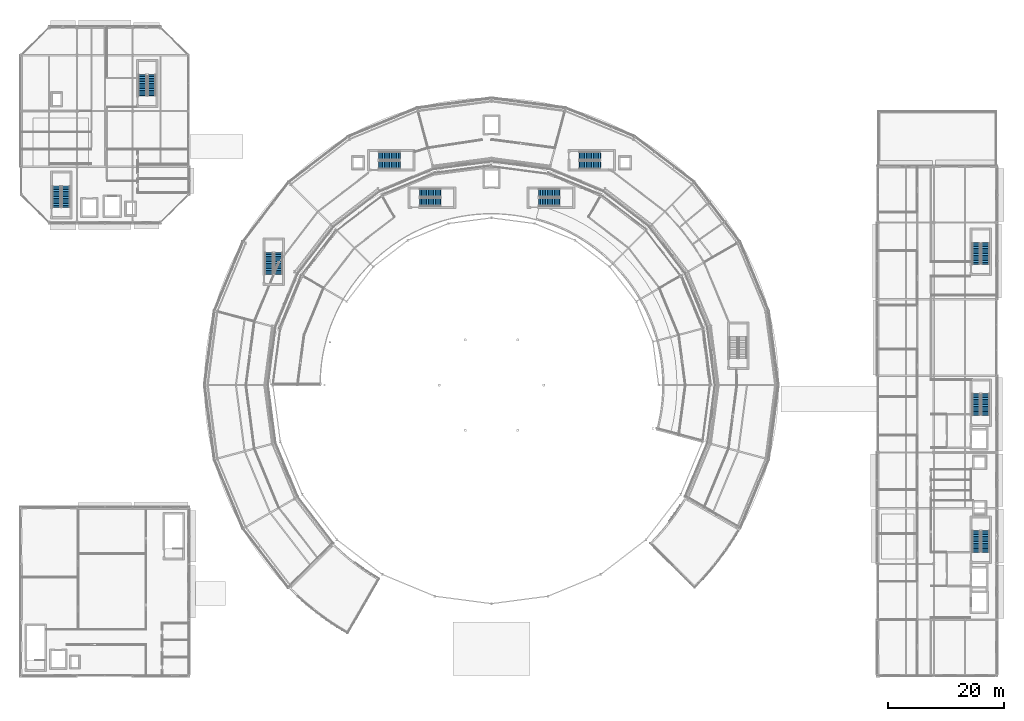
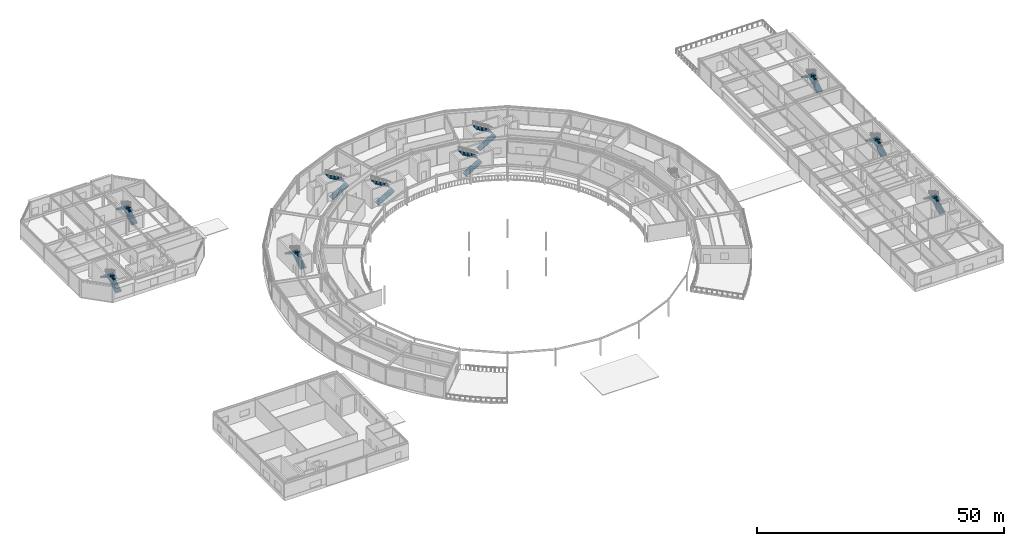
# One storey, part 111 of 133: 20 stair flights, 10 elements without a shape of their own.
"""IFC4 building model written with IfcOpenShell, lengths in metres."""

from ifc_helpers import new_model, si_unit, direction, frame, origin, place, context, subcontext, project, spatial, polyline, outline, extrude, material, type_object, element, aggregate, save


model = new_model("IFC4")

# Units and contexts
model_context = context("Model", 3, precision=1e-05, world=origin(), true_north=direction((0.0, 1.0)))
body_context = subcontext(model_context, "Body", "Model", "MODEL_VIEW")
ifc_project = project(units=[si_unit("LENGTHUNIT", "METRE"), si_unit("AREAUNIT", "SQUARE_METRE"), si_unit("VOLUMEUNIT", "CUBIC_METRE"), si_unit("PLANEANGLEUNIT", "RADIAN"), si_unit("MASSUNIT", "GRAM", prefix="KILO")], contexts=[model_context])

# Site, building, storey
site_placement = place(None, origin())
site = spatial("IfcSite", under=ifc_project, at=site_placement, CompositionType="ELEMENT")
building_placement = place(site_placement, origin())
building = spatial("IfcBuilding", under=site, at=building_placement, Name="Almandine Court Research Institute", CompositionType="ELEMENT")
storey_placement = place(building_placement, frame((0.0, 0.0, 9.800048828125)))
storey = spatial("IfcBuildingStorey", under=building, at=storey_placement, Name="L02", CompositionType="ELEMENT", Elevation=9.800048828125)

# Stair, stair flights
ifc_material = material(Name="Concrete C35/45", Category="concrete")
stair_type = type_object("IfcStairType", Name="Stair-Core-26R", PredefinedType="HALF_TURN_STAIR", material=ifc_material)
stair_1_placement = place(storey_placement, origin())
stair_1 = element("IfcStair", 1, at=stair_1_placement, inside=storey, type_object=stair_type, Name="L02 Atrium Northeast Exit Stair", PredefinedType="HALF_TURN_STAIR")
stair_flight_type = type_object("IfcStairFlightType", Name="Flight-Core-26R", PredefinedType="STRAIGHT", material=ifc_material)
stair_flight_1_placement = place(storey_placement, frame((95.14990234375, 87.510009765625, 0.0), z_axis=(0.0, 0.0, 1.0), x_axis=(1.0, 0.0, 0.0)))
stair_flight_1 = element("IfcStairFlight", 2, at=stair_flight_1_placement, type_object=stair_flight_type, Name="ST-03 flight 1", NumberOfRisers=13, NumberOfTreads=12, PredefinedType="STRAIGHT", RiserHeight=0.175, TreadLength=0.3, context=body_context, shape_type="SweptSolid", body=[
    extrude(outline(polyline([(-0.080078125, -0.139892578125), (-0.080078125, 0.0), (0.0, 0.0), (0.0, 0.175048828125), (0.300048828125, 0.175048828125), (0.300048828125, 0.35009765625), (0.60009765625, 0.35009765625), (0.60009765625, 0.52490234375), (0.89990234375, 0.52490234375), (0.89990234375, 0.699951171875), (1.199951171875, 0.699951171875), (1.199951171875, 0.875), (1.5, 0.875), (1.5, 1.050048828125), (1.800048828125, 1.050048828125), (1.800048828125, 1.22509765625), (2.10009765625, 1.22509765625), (2.10009765625, 1.39990234375), (2.39990234375, 1.39990234375), (2.39990234375, 1.574951171875), (2.699951171875, 1.574951171875), (2.699951171875, 1.75), (3.0, 1.75), (3.0, 1.925048828125), (3.300048828125, 1.925048828125), (3.300048828125, 2.10009765625), (3.60009765625, 2.10009765625), (3.60009765625, 2.27490234375), (3.679931640625, 2.27490234375), (3.679931640625, 2.114990234375), (3.60009765625, 1.914794921875), (0.3173828125, 0.0), (0.3173828125, -0.139892578125), (-0.080078125, -0.139892578125)])), frame((0.0, 0.7099609375, 0.0), z_axis=(0.0, -1.0, 0.0), x_axis=(1.0, 0.0, 0.0)), (0.0, 0.0, 1.0), 1.419921875),
])
stair_flight_2_placement = place(storey_placement, frame((98.75, 89.090087890625, 2.27490234375), z_axis=(0.0, 0.0, 1.0), x_axis=(-1.0, 0.0, 0.0)))
stair_flight_2 = element("IfcStairFlight", 3, at=stair_flight_2_placement, type_object=stair_flight_type, Name="ST-03 flight 2", NumberOfRisers=13, NumberOfTreads=12, PredefinedType="STRAIGHT", RiserHeight=0.175, TreadLength=0.3, context=body_context, shape_type="SweptSolid", body=[
    extrude(outline(polyline([(-0.080078125, -0.139892578125), (-0.080078125, 0.0), (0.0, 0.0), (0.0, 0.175048828125), (0.300048828125, 0.175048828125), (0.300048828125, 0.35009765625), (0.60009765625, 0.35009765625), (0.60009765625, 0.52490234375), (0.89990234375, 0.52490234375), (0.89990234375, 0.699951171875), (1.199951171875, 0.699951171875), (1.199951171875, 0.875), (1.5, 0.875), (1.5, 1.050048828125), (1.800048828125, 1.050048828125), (1.800048828125, 1.22509765625), (2.10009765625, 1.22509765625), (2.10009765625, 1.39990234375), (2.39990234375, 1.39990234375), (2.39990234375, 1.574951171875), (2.699951171875, 1.574951171875), (2.699951171875, 1.75), (3.0, 1.75), (3.0, 1.925048828125), (3.300048828125, 1.925048828125), (3.300048828125, 2.10009765625), (3.60009765625, 2.10009765625), (3.60009765625, 2.27490234375), (3.679931640625, 2.27490234375), (3.679931640625, 2.114990234375), (3.60009765625, 1.914794921875), (0.3173828125, 0.0), (0.3173828125, -0.139892578125), (-0.080078125, -0.139892578125)])), frame((0.0, 0.7099609375, 0.0), z_axis=(0.0, -1.0, 0.0), x_axis=(1.0, 0.0, 0.0)), (0.0, 0.0, 1.0), 1.419921875),
])
aggregate(stair_1, [stair_flight_1, stair_flight_2])

stair_2_placement = place(storey_placement, origin())
stair_2 = element("IfcStair", 4, at=stair_2_placement, inside=storey, type_object=stair_type, Name="L02 Atrium Northwest Exit Stair", PredefinedType="HALF_TURN_STAIR")
stair_flight_3_placement = place(storey_placement, frame((74.64990234375, 87.510009765625, 0.0), z_axis=(0.0, 0.0, 1.0), x_axis=(1.0, 0.0, 0.0)))
stair_flight_3 = element("IfcStairFlight", 5, at=stair_flight_3_placement, type_object=stair_flight_type, Name="ST-04 flight 1", NumberOfRisers=13, NumberOfTreads=12, PredefinedType="STRAIGHT", RiserHeight=0.175, TreadLength=0.3, context=body_context, shape_type="SweptSolid", body=[
    extrude(outline(polyline([(-0.080078125, -0.139892578125), (-0.080078125, 0.0), (0.0, 0.0), (0.0, 0.175048828125), (0.300048828125, 0.175048828125), (0.300048828125, 0.35009765625), (0.60009765625, 0.35009765625), (0.60009765625, 0.52490234375), (0.89990234375, 0.52490234375), (0.89990234375, 0.699951171875), (1.199951171875, 0.699951171875), (1.199951171875, 0.875), (1.5, 0.875), (1.5, 1.050048828125), (1.800048828125, 1.050048828125), (1.800048828125, 1.22509765625), (2.10009765625, 1.22509765625), (2.10009765625, 1.39990234375), (2.39990234375, 1.39990234375), (2.39990234375, 1.574951171875), (2.699951171875, 1.574951171875), (2.699951171875, 1.75), (3.0, 1.75), (3.0, 1.925048828125), (3.300048828125, 1.925048828125), (3.300048828125, 2.10009765625), (3.60009765625, 2.10009765625), (3.60009765625, 2.27490234375), (3.679931640625, 2.27490234375), (3.679931640625, 2.114990234375), (3.60009765625, 1.914794921875), (0.3173828125, 0.0), (0.3173828125, -0.139892578125), (-0.080078125, -0.139892578125)])), frame((0.0, 0.7099609375, 0.0), z_axis=(0.0, -1.0, 0.0), x_axis=(1.0, 0.0, 0.0)), (0.0, 0.0, 1.0), 1.419921875),
])
stair_flight_4_placement = place(storey_placement, frame((78.25, 89.090087890625, 2.27490234375), z_axis=(0.0, 0.0, 1.0), x_axis=(-1.0, 0.0, 0.0)))
stair_flight_4 = element("IfcStairFlight", 6, at=stair_flight_4_placement, type_object=stair_flight_type, Name="ST-04 flight 2", NumberOfRisers=13, NumberOfTreads=12, PredefinedType="STRAIGHT", RiserHeight=0.175, TreadLength=0.3, context=body_context, shape_type="SweptSolid", body=[
    extrude(outline(polyline([(-0.080078125, -0.139892578125), (-0.080078125, 0.0), (0.0, 0.0), (0.0, 0.175048828125), (0.300048828125, 0.175048828125), (0.300048828125, 0.35009765625), (0.60009765625, 0.35009765625), (0.60009765625, 0.52490234375), (0.89990234375, 0.52490234375), (0.89990234375, 0.699951171875), (1.199951171875, 0.699951171875), (1.199951171875, 0.875), (1.5, 0.875), (1.5, 1.050048828125), (1.800048828125, 1.050048828125), (1.800048828125, 1.22509765625), (2.10009765625, 1.22509765625), (2.10009765625, 1.39990234375), (2.39990234375, 1.39990234375), (2.39990234375, 1.574951171875), (2.699951171875, 1.574951171875), (2.699951171875, 1.75), (3.0, 1.75), (3.0, 1.925048828125), (3.300048828125, 1.925048828125), (3.300048828125, 2.10009765625), (3.60009765625, 2.10009765625), (3.60009765625, 2.27490234375), (3.679931640625, 2.27490234375), (3.679931640625, 2.114990234375), (3.60009765625, 1.914794921875), (0.3173828125, 0.0), (0.3173828125, -0.139892578125), (-0.080078125, -0.139892578125)])), frame((0.0, 0.7099609375, 0.0), z_axis=(0.0, -1.0, 0.0), x_axis=(1.0, 0.0, 0.0)), (0.0, 0.0, 1.0), 1.419921875),
])
aggregate(stair_2, [stair_flight_3, stair_flight_4])

stair_3_placement = place(storey_placement, origin())
stair_3 = element("IfcStair", 7, at=stair_3_placement, inside=storey, type_object=stair_type, Name="L02 Cleanroom Pavilion South Exit Stair", PredefinedType="HALF_TURN_STAIR")
stair_flight_5_placement = place(storey_placement, frame((13.68994140625, 86.64990234375, 0.0), z_axis=(0.0, 0.0, 1.0), x_axis=(0.0, 1.0, 0.0)))
stair_flight_5 = element("IfcStairFlight", 8, at=stair_flight_5_placement, type_object=stair_flight_type, Name="ST-05 flight 1", NumberOfRisers=13, NumberOfTreads=12, PredefinedType="STRAIGHT", RiserHeight=0.175, TreadLength=0.3, context=body_context, shape_type="SweptSolid", body=[
    extrude(outline(polyline([(-0.080078125, -0.139892578125), (-0.080078125, 0.0), (0.0, 0.0), (0.0, 0.175048828125), (0.300048828125, 0.175048828125), (0.300048828125, 0.35009765625), (0.60009765625, 0.35009765625), (0.60009765625, 0.52490234375), (0.89990234375, 0.52490234375), (0.89990234375, 0.699951171875), (1.199951171875, 0.699951171875), (1.199951171875, 0.875), (1.5, 0.875), (1.5, 1.050048828125), (1.800048828125, 1.050048828125), (1.800048828125, 1.22509765625), (2.10009765625, 1.22509765625), (2.10009765625, 1.39990234375), (2.39990234375, 1.39990234375), (2.39990234375, 1.574951171875), (2.699951171875, 1.574951171875), (2.699951171875, 1.75), (3.0, 1.75), (3.0, 1.925048828125), (3.300048828125, 1.925048828125), (3.300048828125, 2.10009765625), (3.60009765625, 2.10009765625), (3.60009765625, 2.27490234375), (3.679931640625, 2.27490234375), (3.679931640625, 2.114990234375), (3.60009765625, 1.914794921875), (0.3173828125, 0.0), (0.3173828125, -0.139892578125), (-0.080078125, -0.139892578125)])), frame((0.0, 0.7099609375, 0.0), z_axis=(0.0, -1.0, 0.0), x_axis=(1.0, 0.0, 0.0)), (0.0, 0.0, 1.0), 1.419921875),
])
stair_flight_6_placement = place(storey_placement, frame((12.110107421875, 90.25, 2.27490234375), z_axis=(0.0, 0.0, 1.0), x_axis=(0.0, -1.0, 0.0)))
stair_flight_6 = element("IfcStairFlight", 9, at=stair_flight_6_placement, type_object=stair_flight_type, Name="ST-05 flight 2", NumberOfRisers=13, NumberOfTreads=12, PredefinedType="STRAIGHT", RiserHeight=0.175, TreadLength=0.3, context=body_context, shape_type="SweptSolid", body=[
    extrude(outline(polyline([(-0.080078125, -0.139892578125), (-0.080078125, 0.0), (0.0, 0.0), (0.0, 0.175048828125), (0.300048828125, 0.175048828125), (0.300048828125, 0.35009765625), (0.60009765625, 0.35009765625), (0.60009765625, 0.52490234375), (0.89990234375, 0.52490234375), (0.89990234375, 0.699951171875), (1.199951171875, 0.699951171875), (1.199951171875, 0.875), (1.5, 0.875), (1.5, 1.050048828125), (1.800048828125, 1.050048828125), (1.800048828125, 1.22509765625), (2.10009765625, 1.22509765625), (2.10009765625, 1.39990234375), (2.39990234375, 1.39990234375), (2.39990234375, 1.574951171875), (2.699951171875, 1.574951171875), (2.699951171875, 1.75), (3.0, 1.75), (3.0, 1.925048828125), (3.300048828125, 1.925048828125), (3.300048828125, 2.10009765625), (3.60009765625, 2.10009765625), (3.60009765625, 2.27490234375), (3.679931640625, 2.27490234375), (3.679931640625, 2.114990234375), (3.60009765625, 1.914794921875), (0.3173828125, 0.0), (0.3173828125, -0.139892578125), (-0.080078125, -0.139892578125)])), frame((0.0, 0.7099609375, 0.0), z_axis=(0.0, -1.0, 0.0), x_axis=(1.0, 0.0, 0.0)), (0.0, 0.0, 1.0), 1.419921875),
])
aggregate(stair_3, [stair_flight_5, stair_flight_6])

stair_4_placement = place(storey_placement, origin())
stair_4 = element("IfcStair", 10, at=stair_4_placement, inside=storey, type_object=stair_type, Name="L02 Cleanroom Pavilion North Exit Stair", PredefinedType="HALF_TURN_STAIR")
stair_flight_7_placement = place(storey_placement, frame((28.489990234375, 105.85009765625, 0.0), z_axis=(0.0, 0.0, 1.0), x_axis=(0.0, 1.0, 0.0)))
stair_flight_7 = element("IfcStairFlight", 11, at=stair_flight_7_placement, type_object=stair_flight_type, Name="ST-06 flight 1", NumberOfRisers=13, NumberOfTreads=12, PredefinedType="STRAIGHT", RiserHeight=0.175, TreadLength=0.3, context=body_context, shape_type="SweptSolid", body=[
    extrude(outline(polyline([(-0.080078125, -0.139892578125), (-0.080078125, 0.0), (0.0, 0.0), (0.0, 0.175048828125), (0.300048828125, 0.175048828125), (0.300048828125, 0.35009765625), (0.60009765625, 0.35009765625), (0.60009765625, 0.52490234375), (0.89990234375, 0.52490234375), (0.89990234375, 0.699951171875), (1.199951171875, 0.699951171875), (1.199951171875, 0.875), (1.5, 0.875), (1.5, 1.050048828125), (1.800048828125, 1.050048828125), (1.800048828125, 1.22509765625), (2.10009765625, 1.22509765625), (2.10009765625, 1.39990234375), (2.39990234375, 1.39990234375), (2.39990234375, 1.574951171875), (2.699951171875, 1.574951171875), (2.699951171875, 1.75), (3.0, 1.75), (3.0, 1.925048828125), (3.300048828125, 1.925048828125), (3.300048828125, 2.10009765625), (3.60009765625, 2.10009765625), (3.60009765625, 2.27490234375), (3.679931640625, 2.27490234375), (3.679931640625, 2.114990234375), (3.60009765625, 1.914794921875), (0.3173828125, 0.0), (0.3173828125, -0.139892578125), (-0.080078125, -0.139892578125)])), frame((0.0, 0.7099609375, 0.0), z_axis=(0.0, -1.0, 0.0), x_axis=(1.0, 0.0, 0.0)), (0.0, 0.0, 1.0), 1.419921875),
])
stair_flight_8_placement = place(storey_placement, frame((26.909912109375, 109.449951171875, 2.27490234375), z_axis=(0.0, 0.0, 1.0), x_axis=(0.0, -1.0, 0.0)))
stair_flight_8 = element("IfcStairFlight", 12, at=stair_flight_8_placement, type_object=stair_flight_type, Name="ST-06 flight 2", NumberOfRisers=13, NumberOfTreads=12, PredefinedType="STRAIGHT", RiserHeight=0.175, TreadLength=0.3, context=body_context, shape_type="SweptSolid", body=[
    extrude(outline(polyline([(-0.080078125, -0.139892578125), (-0.080078125, 0.0), (0.0, 0.0), (0.0, 0.175048828125), (0.300048828125, 0.175048828125), (0.300048828125, 0.35009765625), (0.60009765625, 0.35009765625), (0.60009765625, 0.52490234375), (0.89990234375, 0.52490234375), (0.89990234375, 0.699951171875), (1.199951171875, 0.699951171875), (1.199951171875, 0.875), (1.5, 0.875), (1.5, 1.050048828125), (1.800048828125, 1.050048828125), (1.800048828125, 1.22509765625), (2.10009765625, 1.22509765625), (2.10009765625, 1.39990234375), (2.39990234375, 1.39990234375), (2.39990234375, 1.574951171875), (2.699951171875, 1.574951171875), (2.699951171875, 1.75), (3.0, 1.75), (3.0, 1.925048828125), (3.300048828125, 1.925048828125), (3.300048828125, 2.10009765625), (3.60009765625, 2.10009765625), (3.60009765625, 2.27490234375), (3.679931640625, 2.27490234375), (3.679931640625, 2.114990234375), (3.60009765625, 1.914794921875), (0.3173828125, 0.0), (0.3173828125, -0.139892578125), (-0.080078125, -0.139892578125)])), frame((0.0, 0.7099609375, 0.0), z_axis=(0.0, -1.0, 0.0), x_axis=(1.0, 0.0, 0.0)), (0.0, 0.0, 1.0), 1.419921875),
])
aggregate(stair_4, [stair_flight_7, stair_flight_8])

stair_5_placement = place(storey_placement, origin())
stair_5 = element("IfcStair", 13, at=stair_5_placement, inside=storey, type_object=stair_type, Name="L02 Wet Lab South High-Rise Core Stair", PredefinedType="HALF_TURN_STAIR")
stair_flight_9_placement = place(storey_placement, frame((172.090087890625, 27.25, 0.0), z_axis=(0.0, 0.0, 1.0), x_axis=(0.0, 1.0, 0.0)))
stair_flight_9 = element("IfcStairFlight", 14, at=stair_flight_9_placement, type_object=stair_flight_type, Name="ST-07 flight 1", NumberOfRisers=13, NumberOfTreads=12, PredefinedType="STRAIGHT", RiserHeight=0.175, TreadLength=0.3, context=body_context, shape_type="SweptSolid", body=[
    extrude(outline(polyline([(-0.080078125, -0.139892578125), (-0.080078125, 0.0), (0.0, 0.0), (0.0, 0.175048828125), (0.300048828125, 0.175048828125), (0.300048828125, 0.35009765625), (0.60009765625, 0.35009765625), (0.60009765625, 0.52490234375), (0.89990234375, 0.52490234375), (0.89990234375, 0.699951171875), (1.199951171875, 0.699951171875), (1.199951171875, 0.875), (1.5, 0.875), (1.5, 1.050048828125), (1.800048828125, 1.050048828125), (1.800048828125, 1.22509765625), (2.10009765625, 1.22509765625), (2.10009765625, 1.39990234375), (2.39990234375, 1.39990234375), (2.39990234375, 1.574951171875), (2.699951171875, 1.574951171875), (2.699951171875, 1.75), (3.0, 1.75), (3.0, 1.925048828125), (3.300048828125, 1.925048828125), (3.300048828125, 2.10009765625), (3.60009765625, 2.10009765625), (3.60009765625, 2.27490234375), (3.679931640625, 2.27490234375), (3.679931640625, 2.114990234375), (3.60009765625, 1.914794921875), (0.3173828125, 0.0), (0.3173828125, -0.139892578125), (-0.080078125, -0.139892578125)])), frame((0.0, 0.7099609375, 0.0), z_axis=(0.0, -1.0, 0.0), x_axis=(1.0, 0.0, 0.0)), (0.0, 0.0, 1.0), 1.419921875),
])
stair_flight_10_placement = place(storey_placement, frame((170.510009765625, 30.85009765625, 2.27490234375), z_axis=(0.0, 0.0, 1.0), x_axis=(0.0, -1.0, 0.0)))
stair_flight_10 = element("IfcStairFlight", 15, at=stair_flight_10_placement, type_object=stair_flight_type, Name="ST-07 flight 2", NumberOfRisers=13, NumberOfTreads=12, PredefinedType="STRAIGHT", RiserHeight=0.175, TreadLength=0.3, context=body_context, shape_type="SweptSolid", body=[
    extrude(outline(polyline([(-0.080078125, -0.139892578125), (-0.080078125, 0.0), (0.0, 0.0), (0.0, 0.175048828125), (0.300048828125, 0.175048828125), (0.300048828125, 0.35009765625), (0.60009765625, 0.35009765625), (0.60009765625, 0.52490234375), (0.89990234375, 0.52490234375), (0.89990234375, 0.699951171875), (1.199951171875, 0.699951171875), (1.199951171875, 0.875), (1.5, 0.875), (1.5, 1.050048828125), (1.800048828125, 1.050048828125), (1.800048828125, 1.22509765625), (2.10009765625, 1.22509765625), (2.10009765625, 1.39990234375), (2.39990234375, 1.39990234375), (2.39990234375, 1.574951171875), (2.699951171875, 1.574951171875), (2.699951171875, 1.75), (3.0, 1.75), (3.0, 1.925048828125), (3.300048828125, 1.925048828125), (3.300048828125, 2.10009765625), (3.60009765625, 2.10009765625), (3.60009765625, 2.27490234375), (3.679931640625, 2.27490234375), (3.679931640625, 2.114990234375), (3.60009765625, 1.914794921875), (0.3173828125, 0.0), (0.3173828125, -0.139892578125), (-0.080078125, -0.139892578125)])), frame((0.0, 0.7099609375, 0.0), z_axis=(0.0, -1.0, 0.0), x_axis=(1.0, 0.0, 0.0)), (0.0, 0.0, 1.0), 1.419921875),
])
aggregate(stair_5, [stair_flight_9, stair_flight_10])

stair_6_placement = place(storey_placement, origin())
stair_6 = element("IfcStair", 16, at=stair_6_placement, inside=storey, type_object=stair_type, Name="L02 Wet Lab Central High-Rise Core Stair", PredefinedType="HALF_TURN_STAIR")
stair_flight_11_placement = place(storey_placement, frame((172.090087890625, 50.85009765625, 0.0), z_axis=(0.0, 0.0, 1.0), x_axis=(0.0, 1.0, 0.0)))
stair_flight_11 = element("IfcStairFlight", 17, at=stair_flight_11_placement, type_object=stair_flight_type, Name="ST-08 flight 1", NumberOfRisers=13, NumberOfTreads=12, PredefinedType="STRAIGHT", RiserHeight=0.175, TreadLength=0.3, context=body_context, shape_type="SweptSolid", body=[
    extrude(outline(polyline([(-0.080078125, -0.139892578125), (-0.080078125, 0.0), (0.0, 0.0), (0.0, 0.175048828125), (0.300048828125, 0.175048828125), (0.300048828125, 0.35009765625), (0.60009765625, 0.35009765625), (0.60009765625, 0.52490234375), (0.89990234375, 0.52490234375), (0.89990234375, 0.699951171875), (1.199951171875, 0.699951171875), (1.199951171875, 0.875), (1.5, 0.875), (1.5, 1.050048828125), (1.800048828125, 1.050048828125), (1.800048828125, 1.22509765625), (2.10009765625, 1.22509765625), (2.10009765625, 1.39990234375), (2.39990234375, 1.39990234375), (2.39990234375, 1.574951171875), (2.699951171875, 1.574951171875), (2.699951171875, 1.75), (3.0, 1.75), (3.0, 1.925048828125), (3.300048828125, 1.925048828125), (3.300048828125, 2.10009765625), (3.60009765625, 2.10009765625), (3.60009765625, 2.27490234375), (3.679931640625, 2.27490234375), (3.679931640625, 2.114990234375), (3.60009765625, 1.914794921875), (0.3173828125, 0.0), (0.3173828125, -0.139892578125), (-0.080078125, -0.139892578125)])), frame((0.0, 0.7099609375, 0.0), z_axis=(0.0, -1.0, 0.0), x_axis=(1.0, 0.0, 0.0)), (0.0, 0.0, 1.0), 1.419921875),
])
stair_flight_12_placement = place(storey_placement, frame((170.510009765625, 54.449951171875, 2.27490234375), z_axis=(0.0, 0.0, 1.0), x_axis=(0.0, -1.0, 0.0)))
stair_flight_12 = element("IfcStairFlight", 18, at=stair_flight_12_placement, type_object=stair_flight_type, Name="ST-08 flight 2", NumberOfRisers=13, NumberOfTreads=12, PredefinedType="STRAIGHT", RiserHeight=0.175, TreadLength=0.3, context=body_context, shape_type="SweptSolid", body=[
    extrude(outline(polyline([(-0.080078125, -0.139892578125), (-0.080078125, 0.0), (0.0, 0.0), (0.0, 0.175048828125), (0.300048828125, 0.175048828125), (0.300048828125, 0.35009765625), (0.60009765625, 0.35009765625), (0.60009765625, 0.52490234375), (0.89990234375, 0.52490234375), (0.89990234375, 0.699951171875), (1.199951171875, 0.699951171875), (1.199951171875, 0.875), (1.5, 0.875), (1.5, 1.050048828125), (1.800048828125, 1.050048828125), (1.800048828125, 1.22509765625), (2.10009765625, 1.22509765625), (2.10009765625, 1.39990234375), (2.39990234375, 1.39990234375), (2.39990234375, 1.574951171875), (2.699951171875, 1.574951171875), (2.699951171875, 1.75), (3.0, 1.75), (3.0, 1.925048828125), (3.300048828125, 1.925048828125), (3.300048828125, 2.10009765625), (3.60009765625, 2.10009765625), (3.60009765625, 2.27490234375), (3.679931640625, 2.27490234375), (3.679931640625, 2.114990234375), (3.60009765625, 1.914794921875), (0.3173828125, 0.0), (0.3173828125, -0.139892578125), (-0.080078125, -0.139892578125)])), frame((0.0, 0.7099609375, 0.0), z_axis=(0.0, -1.0, 0.0), x_axis=(1.0, 0.0, 0.0)), (0.0, 0.0, 1.0), 1.419921875),
])
aggregate(stair_6, [stair_flight_11, stair_flight_12])

stair_7_placement = place(storey_placement, origin())
stair_7 = element("IfcStair", 19, at=stair_7_placement, inside=storey, type_object=stair_type, Name="L02 Wet Lab North Exit Stair", PredefinedType="HALF_TURN_STAIR")
stair_flight_13_placement = place(storey_placement, frame((172.090087890625, 76.85009765625, 0.0), z_axis=(0.0, 0.0, 1.0), x_axis=(0.0, 1.0, 0.0)))
stair_flight_13 = element("IfcStairFlight", 20, at=stair_flight_13_placement, type_object=stair_flight_type, Name="ST-13 flight 1", NumberOfRisers=13, NumberOfTreads=12, PredefinedType="STRAIGHT", RiserHeight=0.175, TreadLength=0.3, context=body_context, shape_type="SweptSolid", body=[
    extrude(outline(polyline([(-0.080078125, -0.139892578125), (-0.080078125, 0.0), (0.0, 0.0), (0.0, 0.175048828125), (0.300048828125, 0.175048828125), (0.300048828125, 0.35009765625), (0.60009765625, 0.35009765625), (0.60009765625, 0.52490234375), (0.89990234375, 0.52490234375), (0.89990234375, 0.699951171875), (1.199951171875, 0.699951171875), (1.199951171875, 0.875), (1.5, 0.875), (1.5, 1.050048828125), (1.800048828125, 1.050048828125), (1.800048828125, 1.22509765625), (2.10009765625, 1.22509765625), (2.10009765625, 1.39990234375), (2.39990234375, 1.39990234375), (2.39990234375, 1.574951171875), (2.699951171875, 1.574951171875), (2.699951171875, 1.75), (3.0, 1.75), (3.0, 1.925048828125), (3.300048828125, 1.925048828125), (3.300048828125, 2.10009765625), (3.60009765625, 2.10009765625), (3.60009765625, 2.27490234375), (3.679931640625, 2.27490234375), (3.679931640625, 2.114990234375), (3.60009765625, 1.914794921875), (0.3173828125, 0.0), (0.3173828125, -0.139892578125), (-0.080078125, -0.139892578125)])), frame((0.0, 0.7099609375, 0.0), z_axis=(0.0, -1.0, 0.0), x_axis=(1.0, 0.0, 0.0)), (0.0, 0.0, 1.0), 1.419921875),
])
stair_flight_14_placement = place(storey_placement, frame((170.510009765625, 80.449951171875, 2.27490234375), z_axis=(0.0, 0.0, 1.0), x_axis=(0.0, -1.0, 0.0)))
stair_flight_14 = element("IfcStairFlight", 21, at=stair_flight_14_placement, type_object=stair_flight_type, Name="ST-13 flight 2", NumberOfRisers=13, NumberOfTreads=12, PredefinedType="STRAIGHT", RiserHeight=0.175, TreadLength=0.3, context=body_context, shape_type="SweptSolid", body=[
    extrude(outline(polyline([(-0.080078125, -0.139892578125), (-0.080078125, 0.0), (0.0, 0.0), (0.0, 0.175048828125), (0.300048828125, 0.175048828125), (0.300048828125, 0.35009765625), (0.60009765625, 0.35009765625), (0.60009765625, 0.52490234375), (0.89990234375, 0.52490234375), (0.89990234375, 0.699951171875), (1.199951171875, 0.699951171875), (1.199951171875, 0.875), (1.5, 0.875), (1.5, 1.050048828125), (1.800048828125, 1.050048828125), (1.800048828125, 1.22509765625), (2.10009765625, 1.22509765625), (2.10009765625, 1.39990234375), (2.39990234375, 1.39990234375), (2.39990234375, 1.574951171875), (2.699951171875, 1.574951171875), (2.699951171875, 1.75), (3.0, 1.75), (3.0, 1.925048828125), (3.300048828125, 1.925048828125), (3.300048828125, 2.10009765625), (3.60009765625, 2.10009765625), (3.60009765625, 2.27490234375), (3.679931640625, 2.27490234375), (3.679931640625, 2.114990234375), (3.60009765625, 1.914794921875), (0.3173828125, 0.0), (0.3173828125, -0.139892578125), (-0.080078125, -0.139892578125)])), frame((0.0, 0.7099609375, 0.0), z_axis=(0.0, -1.0, 0.0), x_axis=(1.0, 0.0, 0.0)), (0.0, 0.0, 1.0), 1.419921875),
])
aggregate(stair_7, [stair_flight_13, stair_flight_14])

stair_8_placement = place(storey_placement, origin())
stair_8 = element("IfcStair", 22, at=stair_8_placement, inside=storey, type_object=stair_type, Name="L02 Drum Northeast Exit Stair", PredefinedType="HALF_TURN_STAIR")
stair_flight_15_placement = place(storey_placement, frame((102.14990234375, 93.909912109375, 0.0), z_axis=(0.0, 0.0, 1.0), x_axis=(1.0, 0.0, 0.0)))
stair_flight_15 = element("IfcStairFlight", 23, at=stair_flight_15_placement, type_object=stair_flight_type, Name="ST-09 flight 1", NumberOfRisers=13, NumberOfTreads=12, PredefinedType="STRAIGHT", RiserHeight=0.175, TreadLength=0.3, context=body_context, shape_type="SweptSolid", body=[
    extrude(outline(polyline([(-0.080078125, -0.139892578125), (-0.080078125, 0.0), (0.0, 0.0), (0.0, 0.175048828125), (0.300048828125, 0.175048828125), (0.300048828125, 0.35009765625), (0.60009765625, 0.35009765625), (0.60009765625, 0.52490234375), (0.89990234375, 0.52490234375), (0.89990234375, 0.699951171875), (1.199951171875, 0.699951171875), (1.199951171875, 0.875), (1.5, 0.875), (1.5, 1.050048828125), (1.800048828125, 1.050048828125), (1.800048828125, 1.22509765625), (2.10009765625, 1.22509765625), (2.10009765625, 1.39990234375), (2.39990234375, 1.39990234375), (2.39990234375, 1.574951171875), (2.699951171875, 1.574951171875), (2.699951171875, 1.75), (3.0, 1.75), (3.0, 1.925048828125), (3.300048828125, 1.925048828125), (3.300048828125, 2.10009765625), (3.60009765625, 2.10009765625), (3.60009765625, 2.27490234375), (3.679931640625, 2.27490234375), (3.679931640625, 2.114990234375), (3.60009765625, 1.914794921875), (0.3173828125, 0.0), (0.3173828125, -0.139892578125), (-0.080078125, -0.139892578125)])), frame((0.0, 0.7099609375, 0.0), z_axis=(0.0, -1.0, 0.0), x_axis=(1.0, 0.0, 0.0)), (0.0, 0.0, 1.0), 1.419921875),
])
stair_flight_16_placement = place(storey_placement, frame((105.75, 95.489990234375, 2.27490234375), z_axis=(0.0, 0.0, 1.0), x_axis=(-1.0, 0.0, 0.0)))
stair_flight_16 = element("IfcStairFlight", 24, at=stair_flight_16_placement, type_object=stair_flight_type, Name="ST-09 flight 2", NumberOfRisers=13, NumberOfTreads=12, PredefinedType="STRAIGHT", RiserHeight=0.175, TreadLength=0.3, context=body_context, shape_type="SweptSolid", body=[
    extrude(outline(polyline([(-0.080078125, -0.139892578125), (-0.080078125, 0.0), (0.0, 0.0), (0.0, 0.175048828125), (0.300048828125, 0.175048828125), (0.300048828125, 0.35009765625), (0.60009765625, 0.35009765625), (0.60009765625, 0.52490234375), (0.89990234375, 0.52490234375), (0.89990234375, 0.699951171875), (1.199951171875, 0.699951171875), (1.199951171875, 0.875), (1.5, 0.875), (1.5, 1.050048828125), (1.800048828125, 1.050048828125), (1.800048828125, 1.22509765625), (2.10009765625, 1.22509765625), (2.10009765625, 1.39990234375), (2.39990234375, 1.39990234375), (2.39990234375, 1.574951171875), (2.699951171875, 1.574951171875), (2.699951171875, 1.75), (3.0, 1.75), (3.0, 1.925048828125), (3.300048828125, 1.925048828125), (3.300048828125, 2.10009765625), (3.60009765625, 2.10009765625), (3.60009765625, 2.27490234375), (3.679931640625, 2.27490234375), (3.679931640625, 2.114990234375), (3.60009765625, 1.914794921875), (0.3173828125, 0.0), (0.3173828125, -0.139892578125), (-0.080078125, -0.139892578125)])), frame((0.0, 0.7099609375, 0.0), z_axis=(0.0, -1.0, 0.0), x_axis=(1.0, 0.0, 0.0)), (0.0, 0.0, 1.0), 1.419921875),
])
aggregate(stair_8, [stair_flight_15, stair_flight_16])

stair_9_placement = place(storey_placement, origin())
stair_9 = element("IfcStair", 25, at=stair_9_placement, inside=storey, type_object=stair_type, Name="L02 Drum Northwest Exit Stair", PredefinedType="HALF_TURN_STAIR")
stair_flight_17_placement = place(storey_placement, frame((67.64990234375, 93.909912109375, 0.0), z_axis=(0.0, 0.0, 1.0), x_axis=(1.0, 0.0, 0.0)))
stair_flight_17 = element("IfcStairFlight", 26, at=stair_flight_17_placement, type_object=stair_flight_type, Name="ST-10 flight 1", NumberOfRisers=13, NumberOfTreads=12, PredefinedType="STRAIGHT", RiserHeight=0.175, TreadLength=0.3, context=body_context, shape_type="SweptSolid", body=[
    extrude(outline(polyline([(-0.080078125, -0.139892578125), (-0.080078125, 0.0), (0.0, 0.0), (0.0, 0.175048828125), (0.300048828125, 0.175048828125), (0.300048828125, 0.35009765625), (0.60009765625, 0.35009765625), (0.60009765625, 0.52490234375), (0.89990234375, 0.52490234375), (0.89990234375, 0.699951171875), (1.199951171875, 0.699951171875), (1.199951171875, 0.875), (1.5, 0.875), (1.5, 1.050048828125), (1.800048828125, 1.050048828125), (1.800048828125, 1.22509765625), (2.10009765625, 1.22509765625), (2.10009765625, 1.39990234375), (2.39990234375, 1.39990234375), (2.39990234375, 1.574951171875), (2.699951171875, 1.574951171875), (2.699951171875, 1.75), (3.0, 1.75), (3.0, 1.925048828125), (3.300048828125, 1.925048828125), (3.300048828125, 2.10009765625), (3.60009765625, 2.10009765625), (3.60009765625, 2.27490234375), (3.679931640625, 2.27490234375), (3.679931640625, 2.114990234375), (3.60009765625, 1.914794921875), (0.3173828125, 0.0), (0.3173828125, -0.139892578125), (-0.080078125, -0.139892578125)])), frame((0.0, 0.7099609375, 0.0), z_axis=(0.0, -1.0, 0.0), x_axis=(1.0, 0.0, 0.0)), (0.0, 0.0, 1.0), 1.419921875),
])
stair_flight_18_placement = place(storey_placement, frame((71.25, 95.489990234375, 2.27490234375), z_axis=(0.0, 0.0, 1.0), x_axis=(-1.0, 0.0, 0.0)))
stair_flight_18 = element("IfcStairFlight", 27, at=stair_flight_18_placement, type_object=stair_flight_type, Name="ST-10 flight 2", NumberOfRisers=13, NumberOfTreads=12, PredefinedType="STRAIGHT", RiserHeight=0.175, TreadLength=0.3, context=body_context, shape_type="SweptSolid", body=[
    extrude(outline(polyline([(-0.080078125, -0.139892578125), (-0.080078125, 0.0), (0.0, 0.0), (0.0, 0.175048828125), (0.300048828125, 0.175048828125), (0.300048828125, 0.35009765625), (0.60009765625, 0.35009765625), (0.60009765625, 0.52490234375), (0.89990234375, 0.52490234375), (0.89990234375, 0.699951171875), (1.199951171875, 0.699951171875), (1.199951171875, 0.875), (1.5, 0.875), (1.5, 1.050048828125), (1.800048828125, 1.050048828125), (1.800048828125, 1.22509765625), (2.10009765625, 1.22509765625), (2.10009765625, 1.39990234375), (2.39990234375, 1.39990234375), (2.39990234375, 1.574951171875), (2.699951171875, 1.574951171875), (2.699951171875, 1.75), (3.0, 1.75), (3.0, 1.925048828125), (3.300048828125, 1.925048828125), (3.300048828125, 2.10009765625), (3.60009765625, 2.10009765625), (3.60009765625, 2.27490234375), (3.679931640625, 2.27490234375), (3.679931640625, 2.114990234375), (3.60009765625, 1.914794921875), (0.3173828125, 0.0), (0.3173828125, -0.139892578125), (-0.080078125, -0.139892578125)])), frame((0.0, 0.7099609375, 0.0), z_axis=(0.0, -1.0, 0.0), x_axis=(1.0, 0.0, 0.0)), (0.0, 0.0, 1.0), 1.419921875),
])
aggregate(stair_9, [stair_flight_17, stair_flight_18])

stair_10_placement = place(storey_placement, origin())
stair_10 = element("IfcStair", 28, at=stair_10_placement, inside=storey, type_object=stair_type, Name="L02 Drum West Exit Stair", PredefinedType="HALF_TURN_STAIR")
stair_flight_19_placement = place(storey_placement, frame((50.2900390625, 75.14990234375, 0.0), z_axis=(0.0, 0.0, 1.0), x_axis=(0.0, 1.0, 0.0)))
stair_flight_19 = element("IfcStairFlight", 29, at=stair_flight_19_placement, type_object=stair_flight_type, Name="ST-15 flight 1", NumberOfRisers=13, NumberOfTreads=12, PredefinedType="STRAIGHT", RiserHeight=0.175, TreadLength=0.3, context=body_context, shape_type="SweptSolid", body=[
    extrude(outline(polyline([(-0.080078125, -0.139892578125), (-0.080078125, 0.0), (0.0, 0.0), (0.0, 0.175048828125), (0.300048828125, 0.175048828125), (0.300048828125, 0.35009765625), (0.60009765625, 0.35009765625), (0.60009765625, 0.52490234375), (0.89990234375, 0.52490234375), (0.89990234375, 0.699951171875), (1.199951171875, 0.699951171875), (1.199951171875, 0.875), (1.5, 0.875), (1.5, 1.050048828125), (1.800048828125, 1.050048828125), (1.800048828125, 1.22509765625), (2.10009765625, 1.22509765625), (2.10009765625, 1.39990234375), (2.39990234375, 1.39990234375), (2.39990234375, 1.574951171875), (2.699951171875, 1.574951171875), (2.699951171875, 1.75), (3.0, 1.75), (3.0, 1.925048828125), (3.300048828125, 1.925048828125), (3.300048828125, 2.10009765625), (3.60009765625, 2.10009765625), (3.60009765625, 2.27490234375), (3.679931640625, 2.27490234375), (3.679931640625, 2.114990234375), (3.60009765625, 1.914794921875), (0.3173828125, 0.0), (0.3173828125, -0.139892578125), (-0.080078125, -0.139892578125)])), frame((0.0, 0.7099609375, 0.0), z_axis=(0.0, -1.0, 0.0), x_axis=(1.0, 0.0, 0.0)), (0.0, 0.0, 1.0), 1.419921875),
])
stair_flight_20_placement = place(storey_placement, frame((48.7099609375, 78.75, 2.27490234375), z_axis=(0.0, 0.0, 1.0), x_axis=(0.0, -1.0, 0.0)))
stair_flight_20 = element("IfcStairFlight", 30, at=stair_flight_20_placement, type_object=stair_flight_type, Name="ST-15 flight 2", NumberOfRisers=13, NumberOfTreads=12, PredefinedType="STRAIGHT", RiserHeight=0.175, TreadLength=0.3, context=body_context, shape_type="SweptSolid", body=[
    extrude(outline(polyline([(-0.080078125, -0.139892578125), (-0.080078125, 0.0), (0.0, 0.0), (0.0, 0.175048828125), (0.300048828125, 0.175048828125), (0.300048828125, 0.35009765625), (0.60009765625, 0.35009765625), (0.60009765625, 0.52490234375), (0.89990234375, 0.52490234375), (0.89990234375, 0.699951171875), (1.199951171875, 0.699951171875), (1.199951171875, 0.875), (1.5, 0.875), (1.5, 1.050048828125), (1.800048828125, 1.050048828125), (1.800048828125, 1.22509765625), (2.10009765625, 1.22509765625), (2.10009765625, 1.39990234375), (2.39990234375, 1.39990234375), (2.39990234375, 1.574951171875), (2.699951171875, 1.574951171875), (2.699951171875, 1.75), (3.0, 1.75), (3.0, 1.925048828125), (3.300048828125, 1.925048828125), (3.300048828125, 2.10009765625), (3.60009765625, 2.10009765625), (3.60009765625, 2.27490234375), (3.679931640625, 2.27490234375), (3.679931640625, 2.114990234375), (3.60009765625, 1.914794921875), (0.3173828125, 0.0), (0.3173828125, -0.139892578125), (-0.080078125, -0.139892578125)])), frame((0.0, 0.7099609375, 0.0), z_axis=(0.0, -1.0, 0.0), x_axis=(1.0, 0.0, 0.0)), (0.0, 0.0, 1.0), 1.419921875),
])
aggregate(stair_10, [stair_flight_19, stair_flight_20])

save(model, "model.ifc")
